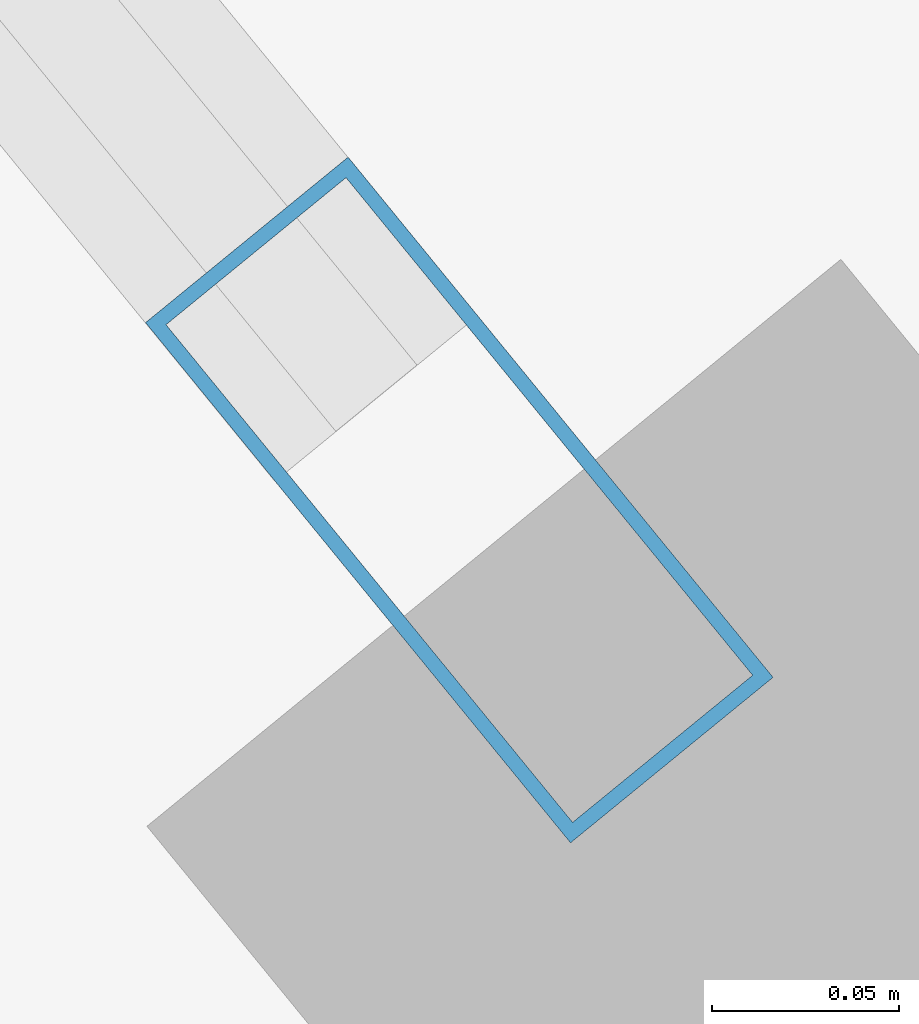
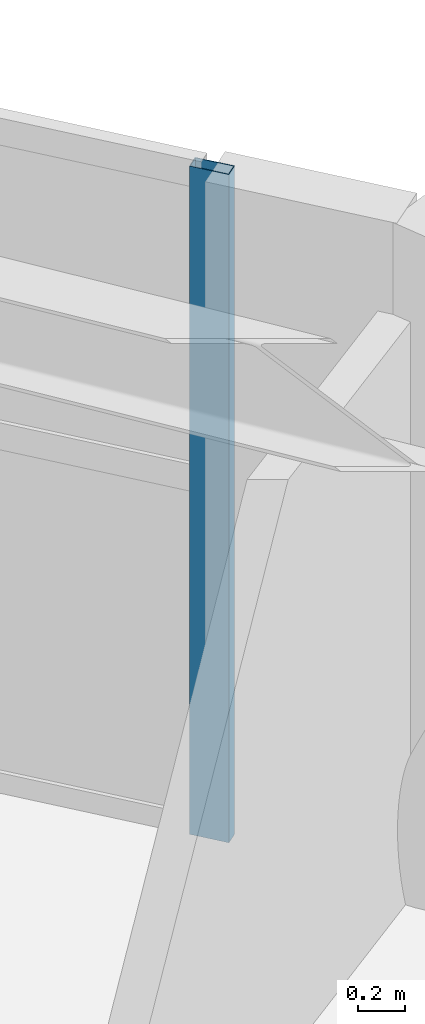
# One storey, part 3 of 20: 1 member, 1 element without a shape of its own.
"""IFC4 building model written with IfcOpenShell, lengths in metres."""

from ifc_helpers import new_model, si_unit, direction, frame, origin, origin_2d, place, context, subcontext, project, spatial, hollow_rectangle, extrude, material, layer, layer_set, material_profile, profile_set, type_object, element, aggregate, save


model = new_model("IFC4")

# Units and contexts
model_context = context("Model", 3, precision=1e-05, world=origin(), true_north=direction((0.0, 1.0)))
body_context = subcontext(model_context, "Body", "Model", "MODEL_VIEW")
ifc_project = project(units=[si_unit("LENGTHUNIT", "METRE"), si_unit("AREAUNIT", "SQUARE_METRE"), si_unit("VOLUMEUNIT", "CUBIC_METRE"), si_unit("PLANEANGLEUNIT", "RADIAN"), si_unit("MASSUNIT", "GRAM", prefix="KILO")], contexts=[model_context])

# Site, building, storey
site_placement = place(None, origin())
site = spatial("IfcSite", under=ifc_project, at=site_placement, CompositionType="ELEMENT")
building_placement = place(site_placement, origin())
building = spatial("IfcBuilding", under=site, at=building_placement, Name="Cununo Teusaquillo Station Towers", CompositionType="ELEMENT")
storey_placement = place(building_placement, frame((0.0, 0.0, 140.320068359375)))
storey = spatial("IfcBuildingStorey", under=building, at=storey_placement, Name="L44", CompositionType="ELEMENT", Elevation=140.320068359375)

# Curtain wall, member
ifc_material_1 = material(Name="Ceramic-fritted dark low-E double glazing", Category="glass")
ifc_layer = layer(ifc_material_1, 0.179931640625)
ifc_layer_set = layer_set([ifc_layer], Name="Ceramic-fritted dark low-E double glazing")
curtain_wall_type = type_object("IfcCurtainWallType", Name="CW-SYS-04", PredefinedType="USERDEFINED", material=ifc_layer_set)
curtain_wall_placement = place(storey_placement, origin())
curtain_wall = element("IfcCurtainWall", 1, at=curtain_wall_placement, inside=storey, type_object=curtain_wall_type, Name="L44 Tower A Facade Curtain Wall C02", ObjectType="FRITTED GLAZING", PredefinedType="USERDEFINED")
ifc_material_2 = material(Name="Anodised dark bronze aluminium EN AW-6063-T6", Category="aluminium")
ifc_material_profile = material_profile(ifc_material_2, hollow_rectangle(XDim=0.070068359375, YDim=0.179931640625, WallThickness=0.00390625, at=origin_2d()), Name="CW-MULL-70x180")
ifc_profile_set = profile_set([ifc_material_profile], Name="Anodised dark bronze aluminium EN AW-6063-T6")
member_type = type_object("IfcMemberType", Name="CWM-180", PredefinedType="MULLION", material=ifc_profile_set)
member_placement = place(storey_placement, frame((28.54541015625, 36.394287109375, 0.0), z_axis=(0.0, 0.0, 1.0), x_axis=(0.774394127889, 0.63270351247, 0.0)))
member = element("IfcMember", 2, at=member_placement, type_object=member_type, Name="CW-04 mullion 4", PredefinedType="MULLION", context=body_context, shape_type="SweptSolid", body=[
    extrude(hollow_rectangle(XDim=0.070068359375, YDim=0.179931640625, WallThickness=0.00390625, at=origin_2d()), origin(), (0.0, 0.0, 1.0), 3.46484375),
])
aggregate(curtain_wall, [member])

save(model, "model.ifc")
